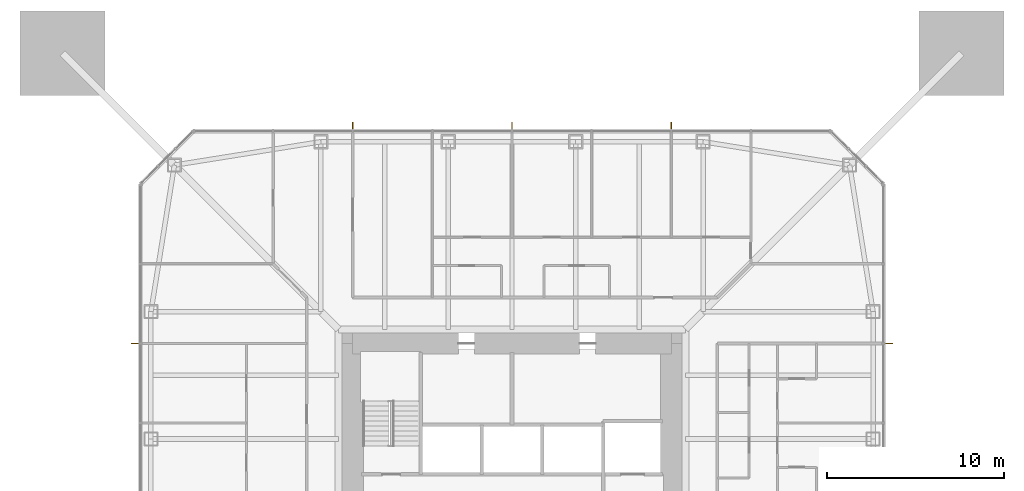
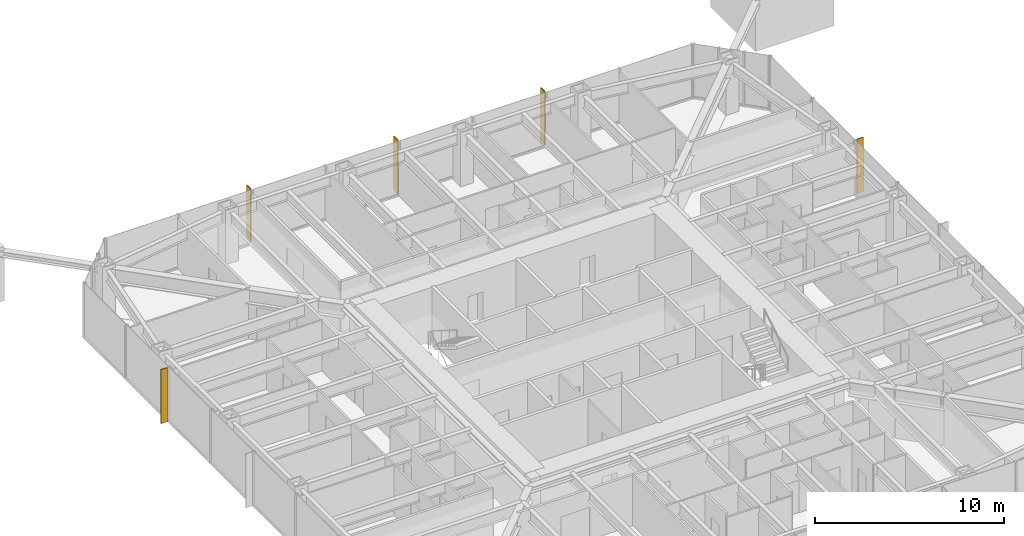
# One storey, part 14 of 14: 5 shading devices.
"""IFC4 building model written with IfcOpenShell, lengths in metres."""

from ifc_helpers import new_model, si_unit, direction, frame, origin, origin_2d, place, context, subcontext, project, spatial, rectangle, extrude, material, layer, layer_set, type_object, element, save


model = new_model("IFC4")

# Units and contexts
model_context = context("Model", 3, precision=1e-05, world=origin(), true_north=direction((0.0, 1.0)))
body_context = subcontext(model_context, "Body", "Model", "MODEL_VIEW")
ifc_project = project(units=[si_unit("LENGTHUNIT", "METRE"), si_unit("AREAUNIT", "SQUARE_METRE"), si_unit("VOLUMEUNIT", "CUBIC_METRE"), si_unit("PLANEANGLEUNIT", "RADIAN"), si_unit("MASSUNIT", "GRAM", prefix="KILO")], contexts=[model_context])

# Site, building, storey
site_placement = place(None, origin())
site = spatial("IfcSite", under=ifc_project, at=site_placement, CompositionType="ELEMENT")
building_placement = place(site_placement, origin())
building = spatial("IfcBuilding", under=site, at=building_placement, Name="Iwan Alto Co-Living Towers", CompositionType="ELEMENT")
storey_placement = place(building_placement, frame((0.0, 0.0, 136.5)))
storey = spatial("IfcBuildingStorey", under=building, at=storey_placement, Name="L37", CompositionType="ELEMENT", Elevation=136.5)

# Shading devices
ifc_material = material(Name="Aluminium 6063-T6 bronze anodised", Category="aluminium")
ifc_layer = layer(ifc_material, 0.050048828125)
ifc_layer_set = layer_set([ifc_layer], Name="BRONZE FIN 50X400")
shading_device_type = type_object("IfcShadingDeviceType", Name="BRONZE FIN 50X400", PredefinedType="USERDEFINED", material=ifc_layer_set)
for number, where, z_axis, x_axis, name in (
    (1, (21.300048828125, 9.0, 0.0), (0.0, 0.0, 1.0), (0.0, 1.0, 0.0), "Bronze fin L37"),
    (2, (9.0, 21.300048828125, 0.0), (0.0, 0.0, 1.0), (-1.0, 0.0, 0.0), "Bronze fin L37"),
    (3, (0.0, 21.300048828125, 0.0), (0.0, 0.0, 1.0), (-1.0, 0.0, 0.0), "Bronze fin L37"),
    (4, (-9.0, 21.300048828125, 0.0), (0.0, 0.0, 1.0), (-1.0, 0.0, 0.0), "Bronze fin L37"),
    (5, (-21.300048828125, 9.0, 0.0), (0.0, 0.0, 1.0), (0.0, -1.0, 0.0), "Bronze fin L37"),
):
    element("IfcShadingDevice", number, at=place(storey_placement, frame(where, z_axis=z_axis, x_axis=x_axis)), inside=storey, type_object=shading_device_type, Name=name, ObjectType="LOUVER", PredefinedType="USERDEFINED", context=body_context, shape_type="SweptSolid", body=[
        extrude(rectangle(XDim=0.050048828125, YDim=0.39990234375, at=origin_2d()), origin(), (0.0, 0.0, 1.0), 3.5),
    ])

save(model, "model.ifc")
